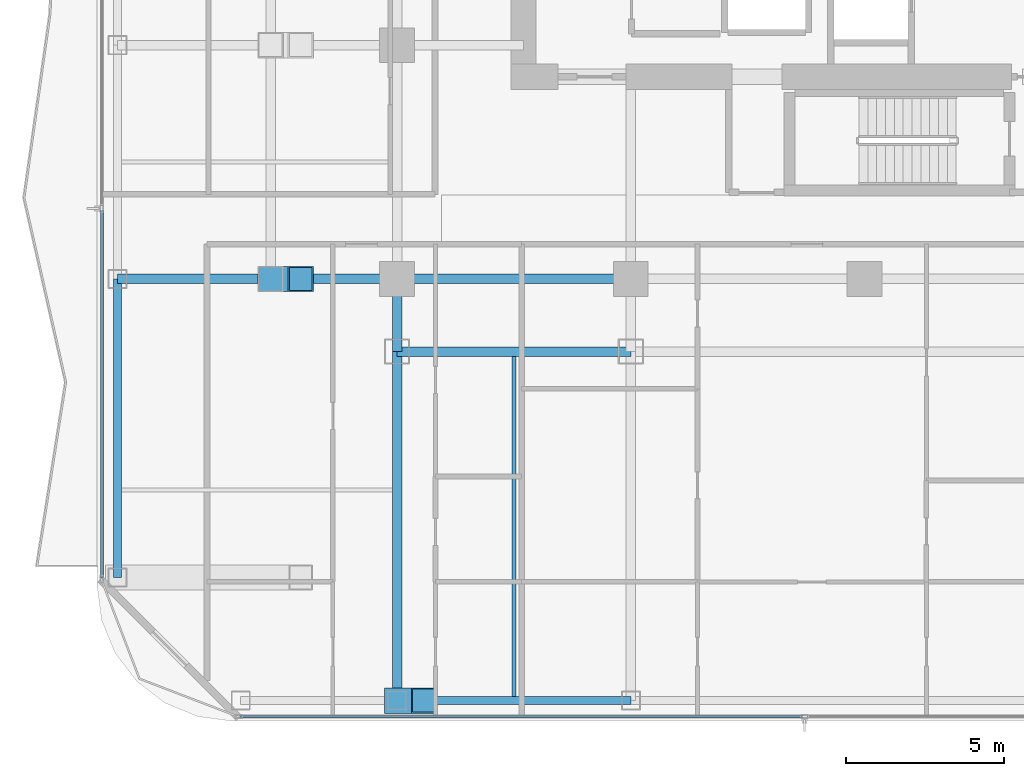
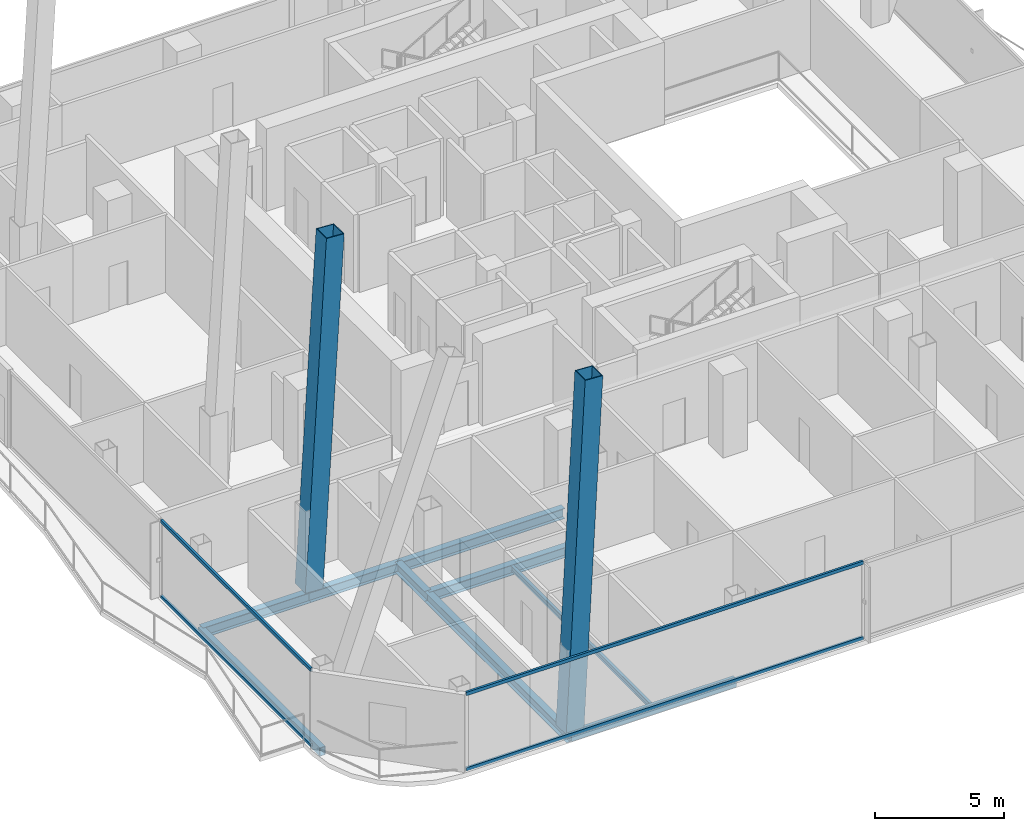
# One storey, part 3 of 27: 9 beams, 6 members, 2 elements without a shape of their own.
"""IFC4 building model written with IfcOpenShell, lengths in metres."""

from ifc_helpers import new_model, si_unit, direction, frame, origin, origin_2d, place, context, subcontext, project, spatial, hollow_rectangle, i_section, extrude, material, layer, layer_set, material_profile, profile_set, type_object, element, aggregate, save


model = new_model("IFC4")

# Units and contexts
model_context = context("Model", 3, precision=1e-05, world=origin(), true_north=direction((0.0, 1.0)))
body_context = subcontext(model_context, "Body", "Model", "MODEL_VIEW")
ifc_project = project(units=[si_unit("LENGTHUNIT", "METRE"), si_unit("AREAUNIT", "SQUARE_METRE"), si_unit("VOLUMEUNIT", "CUBIC_METRE"), si_unit("PLANEANGLEUNIT", "RADIAN"), si_unit("MASSUNIT", "GRAM", prefix="KILO")], contexts=[model_context])

# Site, building, storey
site_placement = place(None, origin())
site = spatial("IfcSite", under=ifc_project, at=site_placement, CompositionType="ELEMENT")
building_placement = place(site_placement, origin())
building = spatial("IfcBuilding", under=site, at=building_placement, Name="Khorvyn Point Tower", CompositionType="ELEMENT")
storey_placement = place(building_placement, frame((0.0, 0.0, 203.10009765625)))
storey = spatial("IfcBuildingStorey", under=building, at=storey_placement, Name="L50", CompositionType="ELEMENT", Elevation=203.10009765625)

# Curtain wall, members
ifc_material_1 = material(Name="Anodised aluminium 6063-T6 and laminated Low-E glass", Category="aluminium")
ifc_layer = layer(ifc_material_1, 0.18994140625)
ifc_layer_set = layer_set([ifc_layer], Name="Stick-Built Acoustic Curtain Wall CW-SYS-03")
curtain_wall_type = type_object("IfcCurtainWallType", Name="Stick-Built Acoustic Curtain Wall CW-SYS-03", PredefinedType="NOTDEFINED", material=ifc_layer_set)
curtain_wall_1_placement = place(storey_placement, origin())
curtain_wall_1 = element("IfcCurtainWall", 1, at=curtain_wall_1_placement, inside=storey, type_object=curtain_wall_type, Name="Curtain Wall", PredefinedType="NOTDEFINED")
ifc_material_2 = material(Name="Anodised aluminium 6063-T6", Category="aluminium")
ifc_material_profile_1 = material_profile(ifc_material_2, hollow_rectangle(XDim=0.10009765625, YDim=0.159912109375, WallThickness=0.00439453125, at=origin_2d()))
ifc_profile_set_1 = profile_set([ifc_material_profile_1], Name="Anodised aluminium 6063-T6 ALU-TRN-100x160")
member_type_1 = type_object("IfcMemberType", Name="Anodised Aluminium 6063-T6 Transom ALU-TRN-100x160", PredefinedType="USERDEFINED", material=ifc_profile_set_1)
member_1_placement = place(storey_placement, frame((-1.949951171875, -28.64990234375, 0.0498046875), z_axis=(-1.0, 0.0, 0.0), x_axis=(0.0, -1.0, 0.0)))
member_1 = element("IfcMember", 2, at=member_1_placement, type_object=member_type_1, Name="Transom", ObjectType="TRANSOM", PredefinedType="USERDEFINED", context=body_context, shape_type="SweptSolid", body=[
    extrude(hollow_rectangle(XDim=0.10009765625, YDim=0.159912109375, WallThickness=0.00439453125, at=origin_2d()), origin(), (0.0, 0.0, 1.0), 17.800048828125),
])
member_2_placement = place(storey_placement, frame((-1.949951171875, -28.64990234375, 3.6298828125), z_axis=(-1.0, 0.0, 0.0), x_axis=(0.0, -1.0, 0.0)))
member_2 = element("IfcMember", 3, at=member_2_placement, type_object=member_type_1, Name="Transom", ObjectType="TRANSOM", PredefinedType="USERDEFINED", context=body_context, shape_type="SweptSolid", body=[
    extrude(hollow_rectangle(XDim=0.10009765625, YDim=0.159912109375, WallThickness=0.00439453125, at=origin_2d()), origin(), (0.0, 0.0, 1.0), 17.800048828125),
])
aggregate(curtain_wall_1, [member_1, member_2])

curtain_wall_2_placement = place(storey_placement, origin())
curtain_wall_2 = element("IfcCurtainWall", 4, at=curtain_wall_2_placement, inside=storey, type_object=curtain_wall_type, Name="Curtain Wall", PredefinedType="NOTDEFINED")
member_3_placement = place(storey_placement, frame((-24.14990234375, -24.25, 0.0498046875), z_axis=(0.0, 1.0, 0.0), x_axis=(-1.0, 0.0, 0.0)))
member_3 = element("IfcMember", 5, at=member_3_placement, type_object=member_type_1, Name="Transom", ObjectType="TRANSOM", PredefinedType="USERDEFINED", context=body_context, shape_type="SweptSolid", body=[
    extrude(hollow_rectangle(XDim=0.10009765625, YDim=0.159912109375, WallThickness=0.00439453125, at=origin_2d()), origin(), (0.0, 0.0, 1.0), 11.633544921875),
])
member_4_placement = place(storey_placement, frame((-24.14990234375, -24.25, 3.6298828125), z_axis=(0.0, 1.0, 0.0), x_axis=(-1.0, 0.0, 0.0)))
member_4 = element("IfcMember", 6, at=member_4_placement, type_object=member_type_1, Name="Transom", ObjectType="TRANSOM", PredefinedType="USERDEFINED", context=body_context, shape_type="SweptSolid", body=[
    extrude(hollow_rectangle(XDim=0.10009765625, YDim=0.159912109375, WallThickness=0.00439453125, at=origin_2d()), origin(), (0.0, 0.0, 1.0), 11.633544921875),
])
aggregate(curtain_wall_2, [member_3, member_4])

# Beams
ifc_material_3 = material(Name="Steel S355", Category="steel")
ifc_material_profile_2 = material_profile(ifc_material_3, i_section(OverallWidth=0.125, OverallDepth=0.25, WebThickness=0.006103515625, FlangeThickness=0.009033203125, at=origin_2d()))
ifc_profile_set_2 = profile_set([ifc_material_profile_2], Name="Steel S355 H250x125x6x9")
beam_type_1 = type_object("IfcBeamType", Name="Steel S355 Joist H250x125x6x9", PredefinedType="JOIST", material=ifc_profile_set_2)
beam_1_placement = place(storey_placement, frame((-11.10009765625, -28.02490234375, -0.34521484375), z_axis=(0.0, 1.0, 0.0), x_axis=(-1.0, 0.0, 0.0)))
element("IfcBeam", 7, at=beam_1_placement, inside=storey, type_object=beam_type_1, Name="Beam", PredefinedType="JOIST", context=body_context, shape_type="SweptSolid", body=[
    extrude(i_section(OverallWidth=0.125, OverallDepth=0.25, WebThickness=0.006103515625, FlangeThickness=0.009033203125, at=origin_2d()), origin(), (0.0, 0.0, 1.0), 10.77490234375),
])
ifc_material_profile_3 = material_profile(ifc_material_3, i_section(OverallWidth=0.300048828125, OverallDepth=0.488037109375, WebThickness=0.010986328125, FlangeThickness=0.01806640625, at=origin_2d()))
ifc_profile_set_3 = profile_set([ifc_material_profile_3], Name="Steel S355 H488x300x11x18")
beam_type_2 = type_object("IfcBeamType", Name="Steel S355 Spandrel H488x300x11x18", PredefinedType="SPANDREL", material=ifc_profile_set_3)
beam_2_placement = place(storey_placement, frame((-23.64990234375, -14.800048828125, -0.464111328125), z_axis=(1.0, 0.0, 0.0), x_axis=(0.0, 1.0, 0.0)))
element("IfcBeam", 8, at=beam_2_placement, inside=storey, type_object=beam_type_2, Name="Beam", PredefinedType="SPANDREL", context=body_context, shape_type="SweptSolid", body=[
    extrude(i_section(OverallWidth=0.300048828125, OverallDepth=0.488037109375, WebThickness=0.010986328125, FlangeThickness=0.01806640625, at=origin_2d()), origin(), (0.0, 0.0, 1.0), 4.849853515625),
])
beam_3_placement = place(storey_placement, frame((-18.800048828125, -14.800048828125, -0.464111328125), z_axis=(1.0, 0.0, 0.0), x_axis=(0.0, 1.0, 0.0)))
element("IfcBeam", 9, at=beam_3_placement, inside=storey, type_object=beam_type_2, Name="Beam", PredefinedType="SPANDREL", context=body_context, shape_type="SweptSolid", body=[
    extrude(i_section(OverallWidth=0.300048828125, OverallDepth=0.488037109375, WebThickness=0.010986328125, FlangeThickness=0.01806640625, at=origin_2d()), origin(), (0.0, 0.0, 1.0), 4.0),
])
for number, where, z_axis, x_axis, name in (
    (10, (-14.800048828125, -14.800048828125, -0.464111328125), (1.0, 0.0, 0.0), (0.0, 1.0, 0.0), "Beam"),
    (11, (-14.800048828125, -17.10009765625, -0.464111328125), (1.0, 0.0, 0.0), (0.0, 1.0, 0.0), "Beam"),
):
    element("IfcBeam", number, at=place(storey_placement, frame(where, z_axis=z_axis, x_axis=x_axis)), inside=storey, type_object=beam_type_2, Name=name, PredefinedType="SPANDREL", context=body_context, shape_type="SweptSolid", body=[
        extrude(i_section(OverallWidth=0.300048828125, OverallDepth=0.488037109375, WebThickness=0.010986328125, FlangeThickness=0.01806640625, at=origin_2d()), origin(), (0.0, 0.0, 1.0), 7.400146484375),
    ])
beam_4_placement = place(storey_placement, frame((-14.800048828125, -28.14990234375, -0.464111328125), z_axis=(0.0, 1.0, 0.0), x_axis=(-1.0, 0.0, 0.0)))
element("IfcBeam", 12, at=beam_4_placement, inside=storey, type_object=beam_type_2, Name="Beam", PredefinedType="SPANDREL", context=body_context, shape_type="SweptSolid", body=[
    extrude(i_section(OverallWidth=0.300048828125, OverallDepth=0.488037109375, WebThickness=0.010986328125, FlangeThickness=0.01806640625, at=origin_2d()), origin(), (0.0, 0.0, 1.0), 11.0498046875),
])
beam_5_placement = place(storey_placement, frame((-14.800048828125, -17.10009765625, -0.464111328125), z_axis=(0.0, 1.0, 0.0), x_axis=(-1.0, 0.0, 0.0)))
element("IfcBeam", 13, at=beam_5_placement, inside=storey, type_object=beam_type_2, Name="Beam", PredefinedType="SPANDREL", context=body_context, shape_type="SweptSolid", body=[
    extrude(i_section(OverallWidth=0.300048828125, OverallDepth=0.488037109375, WebThickness=0.010986328125, FlangeThickness=0.01806640625, at=origin_2d()), origin(), (0.0, 0.0, 1.0), 2.300048828125),
])
ifc_material_profile_4 = material_profile(ifc_material_3, hollow_rectangle(XDim=0.25, YDim=0.39990234375, WallThickness=0.01611328125, at=origin_2d()))
ifc_profile_set_4 = profile_set([ifc_material_profile_4], Name="Steel S355 RHS400x250x16")
beam_type_3 = type_object("IfcBeamType", Name="Steel S355 Spandrel RHS400x250x16", PredefinedType="SPANDREL", material=ifc_profile_set_4)
beam_6_placement = place(storey_placement, frame((-14.800048828125, -28.14990234375, -0.420166015625), z_axis=(1.0, 0.0, 0.0), x_axis=(0.0, 1.0, 0.0)))
element("IfcBeam", 14, at=beam_6_placement, inside=storey, type_object=beam_type_3, Name="Beam", PredefinedType="SPANDREL", context=body_context, shape_type="SweptSolid", body=[
    extrude(hollow_rectangle(XDim=0.25, YDim=0.39990234375, WallThickness=0.01611328125, at=origin_2d()), origin(), (0.0, 0.0, 1.0), 7.400146484375),
])
beam_7_placement = place(storey_placement, frame((-23.64990234375, -24.25, -0.420166015625), z_axis=(0.0, 1.0, 0.0), x_axis=(-1.0, 0.0, 0.0)))
element("IfcBeam", 15, at=beam_7_placement, inside=storey, type_object=beam_type_3, Name="Beam", PredefinedType="SPANDREL", context=body_context, shape_type="SweptSolid", body=[
    extrude(hollow_rectangle(XDim=0.25, YDim=0.39990234375, WallThickness=0.01611328125, at=origin_2d()), origin(), (0.0, 0.0, 1.0), 9.449951171875),
])

# Members
ifc_material_4 = material(Name="Steel S450", Category="steel")
ifc_material_profile_5 = material_profile(ifc_material_4, hollow_rectangle(XDim=0.800048828125, YDim=0.800048828125, WallThickness=0.035888671875, at=origin_2d()))
ifc_profile_set_5 = profile_set([ifc_material_profile_5], Name="Steel S450 BOX800x800x36")
member_type_2 = type_object("IfcMemberType", Name="Steel S450 Exoskeleton Structural Post BOX800x800x36", PredefinedType="POST", material=ifc_profile_set_5)
member_5_placement = place(storey_placement, frame((-14.800048828125, -28.14990234375, 0.0), z_axis=(0.051452826609, 0.0, 0.998675426069), x_axis=(0.0, 1.0, 0.0)))
element("IfcMember", 16, at=member_5_placement, inside=storey, type_object=member_type_2, Name="L50 to L54 Exoskeleton Transfer Post 01", PredefinedType="POST", context=body_context, shape_type="SweptSolid", body=[
    extrude(hollow_rectangle(XDim=0.800048828125, YDim=0.800048828125, WallThickness=0.035888671875, at=origin_2d()), origin(), (0.0, 0.0, 1.0), 16.52197265625),
])
member_6_placement = place(storey_placement, frame((-18.800048828125, -14.800048828125, 0.0), z_axis=(0.057477618665, 0.0, 0.998346795133), x_axis=(0.0, 1.0, 0.0)))
element("IfcMember", 17, at=member_6_placement, inside=storey, type_object=member_type_2, Name="L50 to L54 Exoskeleton Transfer Post 09", PredefinedType="POST", context=body_context, shape_type="SweptSolid", body=[
    extrude(hollow_rectangle(XDim=0.800048828125, YDim=0.800048828125, WallThickness=0.035888671875, at=origin_2d()), origin(), (0.0, 0.0, 1.0), 16.52734375),
])

save(model, "model.ifc")
